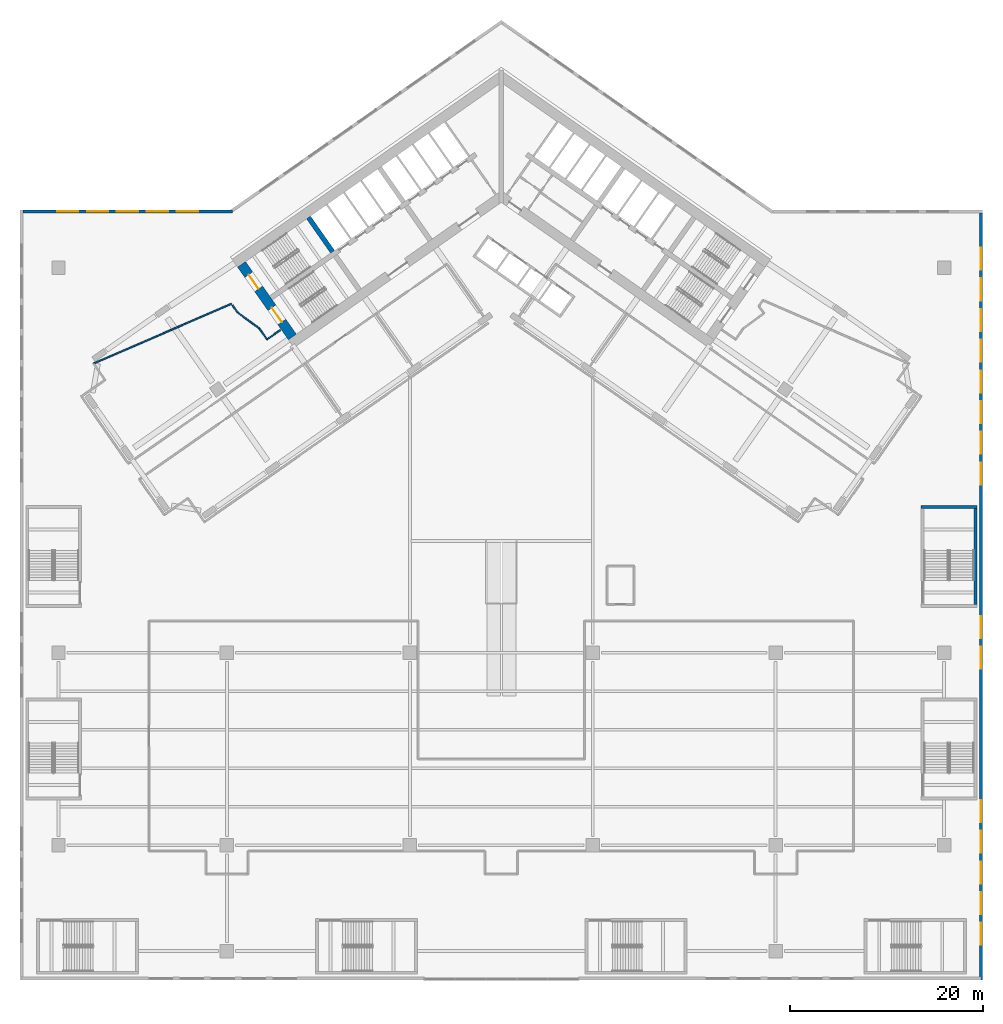
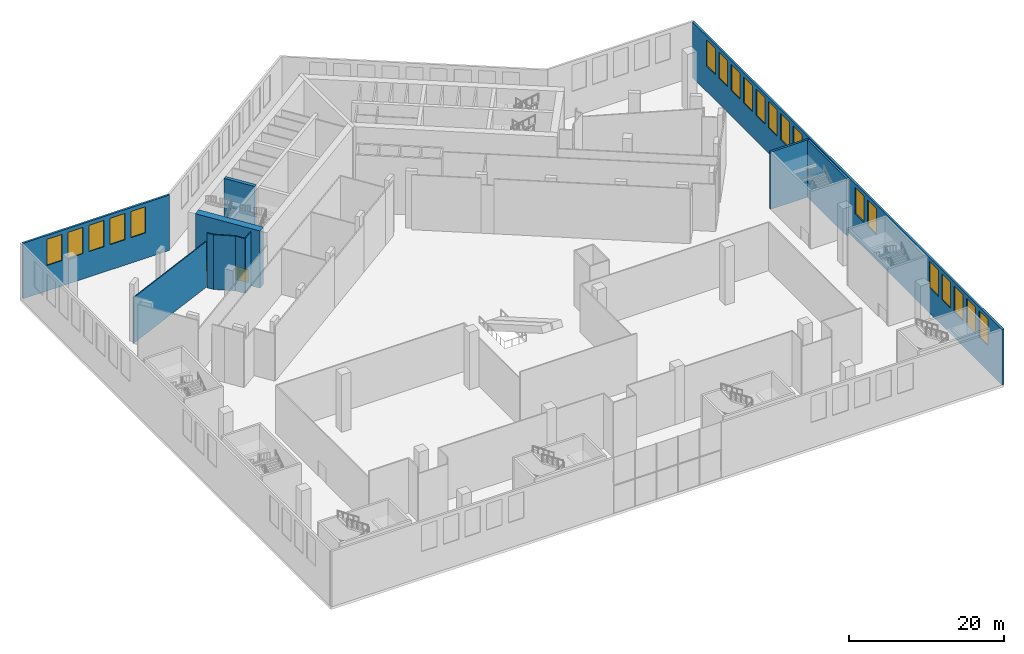
# One storey, part 9 of 27: 20 windows, 11 walls, 2 doors, 22 openings.
"""IFC4 building model written with IfcOpenShell, lengths in metres."""

from ifc_helpers import new_model, si_unit, direction, frame, frame_2d, origin, place, context, subcontext, project, spatial, polyline, rectangle, outline, extrude, material, layer, layer_set, type_object, element, fill, save


model = new_model("IFC4")

# Units and contexts
model_context = context("Model", 3, precision=1e-05, world=origin(), true_north=direction((0.0, 1.0)))
body_context = subcontext(model_context, "Body", "Model", "MODEL_VIEW")
ifc_project = project(units=[si_unit("LENGTHUNIT", "METRE"), si_unit("AREAUNIT", "SQUARE_METRE"), si_unit("VOLUMEUNIT", "CUBIC_METRE"), si_unit("PLANEANGLEUNIT", "RADIAN"), si_unit("MASSUNIT", "GRAM", prefix="KILO")], contexts=[model_context])

# Site, building, storey
site_placement = place(None, origin())
site = spatial("IfcSite", under=ifc_project, at=site_placement, CompositionType="ELEMENT")
building_placement = place(site_placement, origin())
building = spatial("IfcBuilding", under=site, at=building_placement, Name="Tel Ilan Convention Tower", CompositionType="ELEMENT")
storey_placement = place(building_placement, frame((0.0, 0.0, 9.0)))
storey = spatial("IfcBuildingStorey", under=building, at=storey_placement, Name="L01", CompositionType="ELEMENT", Elevation=9.0)

# Wall, openings, doors
ifc_material_1 = material(Name="Concrete C60/75", Category="concrete")
ifc_layer_1 = layer(ifc_material_1, 1.0)
ifc_layer_set_1 = layer_set([ifc_layer_1], Name="Core Shear Wall 1000 mm C60/75")
wall_type_1 = type_object("IfcWallType", Name="Core Shear Wall 1000 mm C60/75", PredefinedType="SHEAR", material=ifc_layer_set_1)
wall_1_placement = place(storey_placement, frame((-21.70751953125, -15.19970703125, 0.0), z_axis=(0.0, 0.0, 1.0), x_axis=(-0.573576324356, 0.819152122709, 0.0)))
wall_1 = element("IfcWall", 1, at=wall_1_placement, inside=storey, type_object=wall_type_1, Name="L01 core wall W-end", PredefinedType="SHEAR", context=body_context, shape_type="SweptSolid", body=[
    extrude(outline(polyline([(0.0, 0.5), (0.0, -0.5), (9.199951171875, -0.5), (9.199951171875, 0.5), (0.0, 0.5)])), origin(), (0.0, 0.0, 1.0), 9.0),
])
opening_1_placement = place(wall_1_placement, frame((6.10009765625, 0.0, 0.0)))
opening_1 = element("IfcOpeningElement", 2, at=opening_1_placement, cuts=wall_1, Name="Opening SD0401", PredefinedType="OPENING", context=body_context, shape_type="SweptSolid", body=[
    extrude(rectangle(XDim=1.800048828125, YDim=2.10009765625, at=frame_2d((0.89990234375, 1.050048828125))), frame((0.0, 0.510009765625, 0.0), z_axis=(0.0, -1.0, 0.0), x_axis=(1.0, 0.0, 0.0)), (0.0, 0.0, 1.0), 1.02001953125),
])
opening_2_placement = place(wall_1_placement, frame((1.89990234375, 0.0, 0.0)))
opening_2 = element("IfcOpeningElement", 3, at=opening_2_placement, cuts=wall_1, Name="Opening SD0402", PredefinedType="OPENING", context=body_context, shape_type="SweptSolid", body=[
    extrude(rectangle(XDim=1.800048828125, YDim=2.10009765625, at=frame_2d((0.89990234375, 1.050048828125))), frame((0.0, 0.510009765625, 0.0), z_axis=(0.0, -1.0, 0.0), x_axis=(1.0, 0.0, 0.0)), (0.0, 0.0, 1.0), 1.02001953125),
])
ifc_material_2 = material(Name="Galvanised Steel Door Leaf", Category="steel")
door_type = type_object("IfcDoorType", Name="Stair Fire Door 1800 x 2100 FD60S", OperationType="NOTDEFINED", PredefinedType="DOOR", material=ifc_material_2)
door_1_placement = place(opening_1_placement, origin())
door_1 = element("IfcDoor", 4, at=door_1_placement, inside=storey, type_object=door_type, Name="Stair S1 door", OperationType="DOUBLE_DOOR_SINGLE_SWING", OverallHeight=2.10009765625, OverallWidth=1.800048828125, PredefinedType="DOOR", context=body_context, shape_type="SweptSolid", body=[
    extrude(rectangle(XDim=1.800048828125, YDim=2.10009765625, at=frame_2d((0.89990234375, 1.050048828125))), frame((0.0, 0.02490234375, 0.0), z_axis=(0.0, -1.0, 0.0), x_axis=(1.0, 0.0, 0.0)), (0.0, 0.0, 1.0), 0.050048828125),
])
fill(opening_1, door_1)
door_2_placement = place(opening_2_placement, origin())
door_2 = element("IfcDoor", 5, at=door_2_placement, inside=storey, type_object=door_type, Name="Stair S2 door", OperationType="DOUBLE_DOOR_SINGLE_SWING", OverallHeight=2.10009765625, OverallWidth=1.800048828125, PredefinedType="DOOR", context=body_context, shape_type="SweptSolid", body=[
    extrude(rectangle(XDim=1.800048828125, YDim=2.10009765625, at=frame_2d((0.89990234375, 1.050048828125))), frame((0.0, 0.02490234375, 0.0), z_axis=(0.0, -1.0, 0.0), x_axis=(1.0, 0.0, 0.0)), (0.0, 0.0, 1.0), 0.050048828125),
])
fill(opening_2, door_2)

# Walls
ifc_material_3 = material(Name="Concrete C60/75", Category="concrete")
ifc_layer_2 = layer(ifc_material_3, 0.5)
ifc_layer_set_2 = layer_set([ifc_layer_2], Name="Core Shear Wall 500 mm C60/75")
wall_type_2 = type_object("IfcWallType", Name="Core Shear Wall 500 mm C60/75", PredefinedType="SHEAR", material=ifc_layer_set_2)
wall_2_placement = place(storey_placement, frame((-17.526611328125, -6.3515625, 0.0), z_axis=(0.0, 0.0, 1.0), x_axis=(-0.573530143085, 0.819184457233, 0.0)))
element("IfcWall", 6, at=wall_2_placement, inside=storey, type_object=wall_type_2, Name="L01 core wall W-cross2-2", PredefinedType="SHEAR", context=body_context, shape_type="SweptSolid", body=[
    extrude(outline(polyline([(4.35009765625, -0.249755859375), (4.35009765625, 0.250244140625), (0.0, 0.25), (0.0, -0.25), (4.35009765625, -0.249755859375)])), origin(), (0.0, 0.0, 1.0), 9.0),
])
ifc_material_4 = material(Name="Plasterboard on Steel Studs", Category="steel")
ifc_layer_3 = layer(ifc_material_4, 0.14990234375)
ifc_layer_set_3 = layer_set([ifc_layer_3], Name="Fire-rated Partition 150 EI 60")
wall_type_3 = type_object("IfcWallType", Name="Fire-rated Partition 150 EI 60", PredefinedType="PARTITIONING", material=ifc_layer_set_3)
wall_3_placement = place(storey_placement, frame((-28.0263671875, -11.751220703125, 0.0), z_axis=(0.0, 0.0, 1.0), x_axis=(-0.91753357696, -0.397658314577, 0.0)))
element("IfcWall", 7, at=wall_3_placement, inside=storey, type_object=wall_type_3, Name="Partition 067", PredefinedType="PARTITIONING", context=body_context, shape_type="SweptSolid", body=[
    extrude(rectangle(XDim=15.621337890625, YDim=0.14990234375, at=frame_2d((7.810546875, 0.0))), origin(), (0.0, 0.0, 1.0), 7.179931640625),
])
wall_4_placement = place(storey_placement, frame((-22.961181640625, -14.490478515625, 0.0), z_axis=(0.0, 0.0, 1.0), x_axis=(-0.819109000826, -0.573637903879, 0.0)))
element("IfcWall", 8, at=wall_4_placement, inside=storey, type_object=wall_type_3, Name="Partition 068", PredefinedType="PARTITIONING", context=body_context, shape_type="SweptSolid", body=[
    extrude(rectangle(XDim=1.679931640625, YDim=0.14990234375, at=frame_2d((0.83984375, 0.0))), origin(), (0.0, 0.0, 1.0), 8.60009765625),
])
wall_5_placement = place(storey_placement, frame((-24.337158203125, -15.4541015625, 0.0), z_axis=(0.0, 0.0, 1.0), x_axis=(-0.573571252353, 0.819155674139, 0.0)))
element("IfcWall", 9, at=wall_5_placement, inside=storey, type_object=wall_type_3, Name="Partition 069", PredefinedType="PARTITIONING", context=body_context, shape_type="SweptSolid", body=[
    extrude(rectangle(XDim=1.35400390625, YDim=0.14990234375, at=frame_2d((0.677001953125, 0.0))), origin(), (0.0, 0.0, 1.0), 8.60009765625),
])
wall_6_placement = place(storey_placement, frame((-25.11376953125, -14.344970703125, 0.0), z_axis=(0.0, 0.0, 1.0), x_axis=(-0.803169525988, 0.59575054555, 0.0)))
element("IfcWall", 10, at=wall_6_placement, inside=storey, type_object=wall_type_3, Name="Partition 070", PredefinedType="PARTITIONING", context=body_context, shape_type="SweptSolid", body=[
    extrude(rectangle(XDim=2.84619140625, YDim=0.14990234375, at=frame_2d((1.423095703125, 0.0))), origin(), (0.0, 0.0, 1.0), 8.60009765625),
])
wall_7_placement = place(storey_placement, frame((-27.399658203125, -12.6494140625, 0.0), z_axis=(0.0, 0.0, 1.0), x_axis=(-0.573713979357, 0.819055718428, 0.0)))
element("IfcWall", 11, at=wall_7_placement, inside=storey, type_object=wall_type_3, Name="Partition 071", PredefinedType="PARTITIONING", context=body_context, shape_type="SweptSolid", body=[
    extrude(rectangle(XDim=0.91162109375, YDim=0.14990234375, at=frame_2d((0.455810546875, 0.0))), origin(), (0.0, 0.0, 1.0), 8.60009765625),
])

# Wall, openings, windows
ifc_material_5 = material(Name="Bronze aluminium cladding panel on insulated steel frame", Category="steel")
ifc_layer_4 = layer(ifc_material_5, 0.300048828125)
ifc_layer_set_4 = layer_set([ifc_layer_4], Name="PODIUM CLADDING WALL 300")
wall_type_4 = type_object("IfcWallType", Name="PODIUM CLADDING WALL 300", PredefinedType="SOLIDWALL", material=ifc_layer_set_4)
wall_8_placement = place(storey_placement, frame((-49.699951171875, -2.14990234375, 0.0), z_axis=(0.0, 0.0, 1.0), x_axis=(1.0, 0.0, 0.0)))
wall_8 = element("IfcWall", 12, at=wall_8_placement, inside=storey, type_object=wall_type_4, Name="Podium cladding wall", PredefinedType="SOLIDWALL", context=body_context, shape_type="SweptSolid", body=[
    extrude(rectangle(XDim=21.760986328125, YDim=0.300048828125, at=frame_2d((10.88037109375, 0.0))), origin(), (0.0, 0.0, 1.0), 8.719970703125),
])
opening_3_placement = place(wall_8_placement, frame((3.558837890625, 0.0, 4.0)))
opening_3 = element("IfcOpeningElement", 13, at=opening_3_placement, cuts=wall_8, Name="Opening W-04.026", PredefinedType="OPENING", context=body_context, shape_type="SweptSolid", body=[
    extrude(rectangle(XDim=2.208740234375, YDim=4.1201171875, at=frame_2d((1.1044921875, 2.06005859375))), frame((0.0, 0.159912109375, 0.0), z_axis=(0.0, -1.0, 0.0), x_axis=(1.0, 0.0, 0.0)), (0.0, 0.0, 1.0), 0.320068359375),
])
opening_4_placement = place(wall_8_placement, frame((6.66748046875, 0.0, 4.0)))
opening_4 = element("IfcOpeningElement", 14, at=opening_4_placement, cuts=wall_8, Name="Opening W-04.027", PredefinedType="OPENING", context=body_context, shape_type="SweptSolid", body=[
    extrude(rectangle(XDim=2.208740234375, YDim=4.1201171875, at=frame_2d((1.1044921875, 2.06005859375))), frame((0.0, 0.159912109375, 0.0), z_axis=(0.0, -1.0, 0.0), x_axis=(1.0, 0.0, 0.0)), (0.0, 0.0, 1.0), 0.320068359375),
])
opening_5_placement = place(wall_8_placement, frame((9.776123046875, 0.0, 4.0)))
opening_5 = element("IfcOpeningElement", 15, at=opening_5_placement, cuts=wall_8, Name="Opening W-04.028", PredefinedType="OPENING", context=body_context, shape_type="SweptSolid", body=[
    extrude(rectangle(XDim=2.208740234375, YDim=4.1201171875, at=frame_2d((1.1044921875, 2.06005859375))), frame((0.0, 0.159912109375, 0.0), z_axis=(0.0, -1.0, 0.0), x_axis=(1.0, 0.0, 0.0)), (0.0, 0.0, 1.0), 0.320068359375),
])
opening_6_placement = place(wall_8_placement, frame((12.884765625, 0.0, 4.0)))
opening_6 = element("IfcOpeningElement", 16, at=opening_6_placement, cuts=wall_8, Name="Opening W-04.029", PredefinedType="OPENING", context=body_context, shape_type="SweptSolid", body=[
    extrude(rectangle(XDim=2.208740234375, YDim=4.1201171875, at=frame_2d((1.1044921875, 2.06005859375))), frame((0.0, 0.159912109375, 0.0), z_axis=(0.0, -1.0, 0.0), x_axis=(1.0, 0.0, 0.0)), (0.0, 0.0, 1.0), 0.320068359375),
])
opening_7_placement = place(wall_8_placement, frame((15.99365234375, 0.0, 4.0)))
opening_7 = element("IfcOpeningElement", 17, at=opening_7_placement, cuts=wall_8, Name="Opening W-04.030", PredefinedType="OPENING", context=body_context, shape_type="SweptSolid", body=[
    extrude(rectangle(XDim=2.208740234375, YDim=4.1201171875, at=frame_2d((1.1044921875, 2.06005859375))), frame((0.0, 0.159912109375, 0.0), z_axis=(0.0, -1.0, 0.0), x_axis=(1.0, 0.0, 0.0)), (0.0, 0.0, 1.0), 0.320068359375),
])
ifc_material_6 = material(Name="Aluminium framed glazing, bronze anodised, tinted glass", Category="aluminium")
window_type_1 = type_object("IfcWindowType", Name="PODIUM WINDOW 2209x4120", PartitioningType="SINGLE_PANEL", PredefinedType="WINDOW", material=ifc_material_6)
window_1_placement = place(opening_3_placement, origin())
window_1 = element("IfcWindow", 18, at=window_1_placement, inside=storey, type_object=window_type_1, Name="Podium window", OverallHeight=4.1201171875, OverallWidth=2.208740234375, PartitioningType="SINGLE_PANEL", PredefinedType="WINDOW", context=body_context, shape_type="SweptSolid", body=[
    extrude(rectangle(XDim=2.208740234375, YDim=4.1201171875, at=frame_2d((1.1044921875, 2.06005859375))), frame((0.0, 0.030029296875, 0.0), z_axis=(0.0, -1.0, 0.0), x_axis=(1.0, 0.0, 0.0)), (0.0, 0.0, 1.0), 0.06005859375),
])
fill(opening_3, window_1)
window_2_placement = place(opening_4_placement, origin())
window_2 = element("IfcWindow", 19, at=window_2_placement, inside=storey, type_object=window_type_1, Name="Podium window", OverallHeight=4.1201171875, OverallWidth=2.208740234375, PartitioningType="SINGLE_PANEL", PredefinedType="WINDOW", context=body_context, shape_type="SweptSolid", body=[
    extrude(rectangle(XDim=2.208740234375, YDim=4.1201171875, at=frame_2d((1.1044921875, 2.06005859375))), frame((0.0, 0.030029296875, 0.0), z_axis=(0.0, -1.0, 0.0), x_axis=(1.0, 0.0, 0.0)), (0.0, 0.0, 1.0), 0.06005859375),
])
fill(opening_4, window_2)
window_3_placement = place(opening_5_placement, origin())
window_3 = element("IfcWindow", 20, at=window_3_placement, inside=storey, type_object=window_type_1, Name="Podium window", OverallHeight=4.1201171875, OverallWidth=2.208740234375, PartitioningType="SINGLE_PANEL", PredefinedType="WINDOW", context=body_context, shape_type="SweptSolid", body=[
    extrude(rectangle(XDim=2.208740234375, YDim=4.1201171875, at=frame_2d((1.1044921875, 2.06005859375))), frame((0.0, 0.030029296875, 0.0), z_axis=(0.0, -1.0, 0.0), x_axis=(1.0, 0.0, 0.0)), (0.0, 0.0, 1.0), 0.06005859375),
])
fill(opening_5, window_3)
window_4_placement = place(opening_6_placement, origin())
window_4 = element("IfcWindow", 21, at=window_4_placement, inside=storey, type_object=window_type_1, Name="Podium window", OverallHeight=4.1201171875, OverallWidth=2.208740234375, PartitioningType="SINGLE_PANEL", PredefinedType="WINDOW", context=body_context, shape_type="SweptSolid", body=[
    extrude(rectangle(XDim=2.208740234375, YDim=4.1201171875, at=frame_2d((1.1044921875, 2.06005859375))), frame((0.0, 0.030029296875, 0.0), z_axis=(0.0, -1.0, 0.0), x_axis=(1.0, 0.0, 0.0)), (0.0, 0.0, 1.0), 0.06005859375),
])
fill(opening_6, window_4)
window_5_placement = place(opening_7_placement, origin())
window_5 = element("IfcWindow", 22, at=window_5_placement, inside=storey, type_object=window_type_1, Name="Podium window", OverallHeight=4.1201171875, OverallWidth=2.208740234375, PartitioningType="SINGLE_PANEL", PredefinedType="WINDOW", context=body_context, shape_type="SweptSolid", body=[
    extrude(rectangle(XDim=2.208740234375, YDim=4.1201171875, at=frame_2d((1.1044921875, 2.06005859375))), frame((0.0, 0.030029296875, 0.0), z_axis=(0.0, -1.0, 0.0), x_axis=(1.0, 0.0, 0.0)), (0.0, 0.0, 1.0), 0.06005859375),
])
fill(opening_7, window_5)

wall_9_placement = place(storey_placement, frame((49.85009765625, -2.300048828125, 0.0), z_axis=(0.0, 0.0, 1.0), x_axis=(0.0, -1.0, 0.0)))
wall_9 = element("IfcWall", 23, at=wall_9_placement, inside=storey, type_object=wall_type_4, Name="Podium cladding wall", PredefinedType="SOLIDWALL", context=body_context, shape_type="SweptSolid", body=[
    extrude(rectangle(XDim=79.699951171875, YDim=0.300048828125, at=frame_2d((39.85009765625, 0.0))), origin(), (0.0, 0.0, 1.0), 8.719970703125),
])
opening_8_placement = place(wall_9_placement, frame((3.637939453125, 0.0, 4.0)))
opening_8 = element("IfcOpeningElement", 24, at=opening_8_placement, cuts=wall_9, Name="Opening W-04.054", PredefinedType="OPENING", context=body_context, shape_type="SweptSolid", body=[
    extrude(rectangle(XDim=2.2880859375, YDim=4.1201171875, at=frame_2d((1.14404296875, 2.06005859375))), frame((0.0, 0.159912109375, 0.0), z_axis=(0.0, -1.0, 0.0), x_axis=(1.0, 0.0, 0.0)), (0.0, 0.0, 1.0), 0.320068359375),
])
opening_9_placement = place(wall_9_placement, frame((6.825927734375, 0.0, 4.0)))
opening_9 = element("IfcOpeningElement", 25, at=opening_9_placement, cuts=wall_9, Name="Opening W-04.055", PredefinedType="OPENING", context=body_context, shape_type="SweptSolid", body=[
    extrude(rectangle(XDim=2.2880859375, YDim=4.1201171875, at=frame_2d((1.14404296875, 2.06005859375))), frame((0.0, 0.159912109375, 0.0), z_axis=(0.0, -1.0, 0.0), x_axis=(1.0, 0.0, 0.0)), (0.0, 0.0, 1.0), 0.320068359375),
])
opening_10_placement = place(wall_9_placement, frame((10.013916015625, 0.0, 4.0)))
opening_10 = element("IfcOpeningElement", 26, at=opening_10_placement, cuts=wall_9, Name="Opening W-04.056", PredefinedType="OPENING", context=body_context, shape_type="SweptSolid", body=[
    extrude(rectangle(XDim=2.2880859375, YDim=4.1201171875, at=frame_2d((1.14404296875, 2.06005859375))), frame((0.0, 0.159912109375, 0.0), z_axis=(0.0, -1.0, 0.0), x_axis=(1.0, 0.0, 0.0)), (0.0, 0.0, 1.0), 0.320068359375),
])
opening_11_placement = place(wall_9_placement, frame((13.201904296875, 0.0, 4.0)))
opening_11 = element("IfcOpeningElement", 27, at=opening_11_placement, cuts=wall_9, Name="Opening W-04.057", PredefinedType="OPENING", context=body_context, shape_type="SweptSolid", body=[
    extrude(rectangle(XDim=2.2880859375, YDim=4.1201171875, at=frame_2d((1.14404296875, 2.06005859375))), frame((0.0, 0.159912109375, 0.0), z_axis=(0.0, -1.0, 0.0), x_axis=(1.0, 0.0, 0.0)), (0.0, 0.0, 1.0), 0.320068359375),
])
opening_12_placement = place(wall_9_placement, frame((16.389892578125, 0.0, 4.0)))
opening_12 = element("IfcOpeningElement", 28, at=opening_12_placement, cuts=wall_9, Name="Opening W-04.058", PredefinedType="OPENING", context=body_context, shape_type="SweptSolid", body=[
    extrude(rectangle(XDim=2.2880859375, YDim=4.1201171875, at=frame_2d((1.14404296875, 2.06005859375))), frame((0.0, 0.159912109375, 0.0), z_axis=(0.0, -1.0, 0.0), x_axis=(1.0, 0.0, 0.0)), (0.0, 0.0, 1.0), 0.320068359375),
])
opening_13_placement = place(wall_9_placement, frame((19.577880859375, 0.0, 4.0)))
opening_13 = element("IfcOpeningElement", 29, at=opening_13_placement, cuts=wall_9, Name="Opening W-04.059", PredefinedType="OPENING", context=body_context, shape_type="SweptSolid", body=[
    extrude(rectangle(XDim=2.2880859375, YDim=4.1201171875, at=frame_2d((1.14404296875, 2.06005859375))), frame((0.0, 0.159912109375, 0.0), z_axis=(0.0, -1.0, 0.0), x_axis=(1.0, 0.0, 0.0)), (0.0, 0.0, 1.0), 0.320068359375),
])
opening_14_placement = place(wall_9_placement, frame((22.76611328125, 0.0, 4.0)))
opening_14 = element("IfcOpeningElement", 30, at=opening_14_placement, cuts=wall_9, Name="Opening W-04.060", PredefinedType="OPENING", context=body_context, shape_type="SweptSolid", body=[
    extrude(rectangle(XDim=2.2880859375, YDim=4.1201171875, at=frame_2d((1.14404296875, 2.06005859375))), frame((0.0, 0.159912109375, 0.0), z_axis=(0.0, -1.0, 0.0), x_axis=(1.0, 0.0, 0.0)), (0.0, 0.0, 1.0), 0.320068359375),
])
opening_15_placement = place(wall_9_placement, frame((25.9541015625, 0.0, 4.0)))
opening_15 = element("IfcOpeningElement", 31, at=opening_15_placement, cuts=wall_9, Name="Opening W-04.061", PredefinedType="OPENING", context=body_context, shape_type="SweptSolid", body=[
    extrude(rectangle(XDim=2.2880859375, YDim=4.1201171875, at=frame_2d((1.14404296875, 2.06005859375))), frame((0.0, 0.159912109375, 0.0), z_axis=(0.0, -1.0, 0.0), x_axis=(1.0, 0.0, 0.0)), (0.0, 0.0, 1.0), 0.320068359375),
])
opening_16_placement = place(wall_9_placement, frame((41.89404296875, 0.0, 4.0)))
opening_16 = element("IfcOpeningElement", 32, at=opening_16_placement, cuts=wall_9, Name="Opening W-04.062", PredefinedType="OPENING", context=body_context, shape_type="SweptSolid", body=[
    extrude(rectangle(XDim=2.2880859375, YDim=4.1201171875, at=frame_2d((1.14404296875, 2.06005859375))), frame((0.0, 0.159912109375, 0.0), z_axis=(0.0, -1.0, 0.0), x_axis=(1.0, 0.0, 0.0)), (0.0, 0.0, 1.0), 0.320068359375),
])
opening_17_placement = place(wall_9_placement, frame((45.08203125, 0.0, 4.0)))
opening_17 = element("IfcOpeningElement", 33, at=opening_17_placement, cuts=wall_9, Name="Opening W-04.063", PredefinedType="OPENING", context=body_context, shape_type="SweptSolid", body=[
    extrude(rectangle(XDim=2.2880859375, YDim=4.1201171875, at=frame_2d((1.14404296875, 2.06005859375))), frame((0.0, 0.159912109375, 0.0), z_axis=(0.0, -1.0, 0.0), x_axis=(1.0, 0.0, 0.0)), (0.0, 0.0, 1.0), 0.320068359375),
])
opening_18_placement = place(wall_9_placement, frame((61.02197265625, 0.0, 4.0)))
opening_18 = element("IfcOpeningElement", 34, at=opening_18_placement, cuts=wall_9, Name="Opening W-04.064", PredefinedType="OPENING", context=body_context, shape_type="SweptSolid", body=[
    extrude(rectangle(XDim=2.2880859375, YDim=4.1201171875, at=frame_2d((1.14404296875, 2.06005859375))), frame((0.0, 0.159912109375, 0.0), z_axis=(0.0, -1.0, 0.0), x_axis=(1.0, 0.0, 0.0)), (0.0, 0.0, 1.0), 0.320068359375),
])
opening_19_placement = place(wall_9_placement, frame((64.2099609375, 0.0, 4.0)))
opening_19 = element("IfcOpeningElement", 35, at=opening_19_placement, cuts=wall_9, Name="Opening W-04.065", PredefinedType="OPENING", context=body_context, shape_type="SweptSolid", body=[
    extrude(rectangle(XDim=2.2880859375, YDim=4.1201171875, at=frame_2d((1.14404296875, 2.06005859375))), frame((0.0, 0.159912109375, 0.0), z_axis=(0.0, -1.0, 0.0), x_axis=(1.0, 0.0, 0.0)), (0.0, 0.0, 1.0), 0.320068359375),
])
opening_20_placement = place(wall_9_placement, frame((67.39794921875, 0.0, 4.0)))
opening_20 = element("IfcOpeningElement", 36, at=opening_20_placement, cuts=wall_9, Name="Opening W-04.066", PredefinedType="OPENING", context=body_context, shape_type="SweptSolid", body=[
    extrude(rectangle(XDim=2.2880859375, YDim=4.1201171875, at=frame_2d((1.14404296875, 2.06005859375))), frame((0.0, 0.159912109375, 0.0), z_axis=(0.0, -1.0, 0.0), x_axis=(1.0, 0.0, 0.0)), (0.0, 0.0, 1.0), 0.320068359375),
])
opening_21_placement = place(wall_9_placement, frame((70.5859375, 0.0, 4.0)))
opening_21 = element("IfcOpeningElement", 37, at=opening_21_placement, cuts=wall_9, Name="Opening W-04.067", PredefinedType="OPENING", context=body_context, shape_type="SweptSolid", body=[
    extrude(rectangle(XDim=2.2880859375, YDim=4.1201171875, at=frame_2d((1.14404296875, 2.06005859375))), frame((0.0, 0.159912109375, 0.0), z_axis=(0.0, -1.0, 0.0), x_axis=(1.0, 0.0, 0.0)), (0.0, 0.0, 1.0), 0.320068359375),
])
opening_22_placement = place(wall_9_placement, frame((73.77392578125, 0.0, 4.0)))
opening_22 = element("IfcOpeningElement", 38, at=opening_22_placement, cuts=wall_9, Name="Opening W-04.068", PredefinedType="OPENING", context=body_context, shape_type="SweptSolid", body=[
    extrude(rectangle(XDim=2.2880859375, YDim=4.1201171875, at=frame_2d((1.14404296875, 2.06005859375))), frame((0.0, 0.159912109375, 0.0), z_axis=(0.0, -1.0, 0.0), x_axis=(1.0, 0.0, 0.0)), (0.0, 0.0, 1.0), 0.320068359375),
])
ifc_material_7 = material(Name="Aluminium framed glazing, bronze anodised, tinted glass", Category="aluminium")
window_type_2 = type_object("IfcWindowType", Name="PODIUM WINDOW 2288x4120", PartitioningType="SINGLE_PANEL", PredefinedType="WINDOW", material=ifc_material_7)
window_6_placement = place(opening_8_placement, origin())
window_6 = element("IfcWindow", 39, at=window_6_placement, inside=storey, type_object=window_type_2, Name="Podium window", OverallHeight=4.1201171875, OverallWidth=2.2880859375, PartitioningType="SINGLE_PANEL", PredefinedType="WINDOW", context=body_context, shape_type="SweptSolid", body=[
    extrude(rectangle(XDim=2.2880859375, YDim=4.1201171875, at=frame_2d((1.14404296875, 2.06005859375))), frame((0.0, 0.030029296875, 0.0), z_axis=(0.0, -1.0, 0.0), x_axis=(1.0, 0.0, 0.0)), (0.0, 0.0, 1.0), 0.06005859375),
])
fill(opening_8, window_6)
window_7_placement = place(opening_9_placement, origin())
window_7 = element("IfcWindow", 40, at=window_7_placement, inside=storey, type_object=window_type_2, Name="Podium window", OverallHeight=4.1201171875, OverallWidth=2.2880859375, PartitioningType="SINGLE_PANEL", PredefinedType="WINDOW", context=body_context, shape_type="SweptSolid", body=[
    extrude(rectangle(XDim=2.2880859375, YDim=4.1201171875, at=frame_2d((1.14404296875, 2.06005859375))), frame((0.0, 0.030029296875, 0.0), z_axis=(0.0, -1.0, 0.0), x_axis=(1.0, 0.0, 0.0)), (0.0, 0.0, 1.0), 0.06005859375),
])
fill(opening_9, window_7)
window_8_placement = place(opening_10_placement, origin())
window_8 = element("IfcWindow", 41, at=window_8_placement, inside=storey, type_object=window_type_2, Name="Podium window", OverallHeight=4.1201171875, OverallWidth=2.2880859375, PartitioningType="SINGLE_PANEL", PredefinedType="WINDOW", context=body_context, shape_type="SweptSolid", body=[
    extrude(rectangle(XDim=2.2880859375, YDim=4.1201171875, at=frame_2d((1.14404296875, 2.06005859375))), frame((0.0, 0.030029296875, 0.0), z_axis=(0.0, -1.0, 0.0), x_axis=(1.0, 0.0, 0.0)), (0.0, 0.0, 1.0), 0.06005859375),
])
fill(opening_10, window_8)
window_9_placement = place(opening_11_placement, origin())
window_9 = element("IfcWindow", 42, at=window_9_placement, inside=storey, type_object=window_type_2, Name="Podium window", OverallHeight=4.1201171875, OverallWidth=2.2880859375, PartitioningType="SINGLE_PANEL", PredefinedType="WINDOW", context=body_context, shape_type="SweptSolid", body=[
    extrude(rectangle(XDim=2.2880859375, YDim=4.1201171875, at=frame_2d((1.14404296875, 2.06005859375))), frame((0.0, 0.030029296875, 0.0), z_axis=(0.0, -1.0, 0.0), x_axis=(1.0, 0.0, 0.0)), (0.0, 0.0, 1.0), 0.06005859375),
])
fill(opening_11, window_9)
window_10_placement = place(opening_12_placement, origin())
window_10 = element("IfcWindow", 43, at=window_10_placement, inside=storey, type_object=window_type_2, Name="Podium window", OverallHeight=4.1201171875, OverallWidth=2.2880859375, PartitioningType="SINGLE_PANEL", PredefinedType="WINDOW", context=body_context, shape_type="SweptSolid", body=[
    extrude(rectangle(XDim=2.2880859375, YDim=4.1201171875, at=frame_2d((1.14404296875, 2.06005859375))), frame((0.0, 0.030029296875, 0.0), z_axis=(0.0, -1.0, 0.0), x_axis=(1.0, 0.0, 0.0)), (0.0, 0.0, 1.0), 0.06005859375),
])
fill(opening_12, window_10)
window_11_placement = place(opening_13_placement, origin())
window_11 = element("IfcWindow", 44, at=window_11_placement, inside=storey, type_object=window_type_2, Name="Podium window", OverallHeight=4.1201171875, OverallWidth=2.2880859375, PartitioningType="SINGLE_PANEL", PredefinedType="WINDOW", context=body_context, shape_type="SweptSolid", body=[
    extrude(rectangle(XDim=2.2880859375, YDim=4.1201171875, at=frame_2d((1.14404296875, 2.06005859375))), frame((0.0, 0.030029296875, 0.0), z_axis=(0.0, -1.0, 0.0), x_axis=(1.0, 0.0, 0.0)), (0.0, 0.0, 1.0), 0.06005859375),
])
fill(opening_13, window_11)
window_12_placement = place(opening_14_placement, origin())
window_12 = element("IfcWindow", 45, at=window_12_placement, inside=storey, type_object=window_type_2, Name="Podium window", OverallHeight=4.1201171875, OverallWidth=2.2880859375, PartitioningType="SINGLE_PANEL", PredefinedType="WINDOW", context=body_context, shape_type="SweptSolid", body=[
    extrude(rectangle(XDim=2.2880859375, YDim=4.1201171875, at=frame_2d((1.14404296875, 2.06005859375))), frame((0.0, 0.030029296875, 0.0), z_axis=(0.0, -1.0, 0.0), x_axis=(1.0, 0.0, 0.0)), (0.0, 0.0, 1.0), 0.06005859375),
])
fill(opening_14, window_12)
window_13_placement = place(opening_15_placement, origin())
window_13 = element("IfcWindow", 46, at=window_13_placement, inside=storey, type_object=window_type_2, Name="Podium window", OverallHeight=4.1201171875, OverallWidth=2.2880859375, PartitioningType="SINGLE_PANEL", PredefinedType="WINDOW", context=body_context, shape_type="SweptSolid", body=[
    extrude(rectangle(XDim=2.2880859375, YDim=4.1201171875, at=frame_2d((1.14404296875, 2.06005859375))), frame((0.0, 0.030029296875, 0.0), z_axis=(0.0, -1.0, 0.0), x_axis=(1.0, 0.0, 0.0)), (0.0, 0.0, 1.0), 0.06005859375),
])
fill(opening_15, window_13)
window_14_placement = place(opening_16_placement, origin())
window_14 = element("IfcWindow", 47, at=window_14_placement, inside=storey, type_object=window_type_2, Name="Podium window", OverallHeight=4.1201171875, OverallWidth=2.2880859375, PartitioningType="SINGLE_PANEL", PredefinedType="WINDOW", context=body_context, shape_type="SweptSolid", body=[
    extrude(rectangle(XDim=2.2880859375, YDim=4.1201171875, at=frame_2d((1.14404296875, 2.06005859375))), frame((0.0, 0.030029296875, 0.0), z_axis=(0.0, -1.0, 0.0), x_axis=(1.0, 0.0, 0.0)), (0.0, 0.0, 1.0), 0.06005859375),
])
fill(opening_16, window_14)
window_15_placement = place(opening_17_placement, origin())
window_15 = element("IfcWindow", 48, at=window_15_placement, inside=storey, type_object=window_type_2, Name="Podium window", OverallHeight=4.1201171875, OverallWidth=2.2880859375, PartitioningType="SINGLE_PANEL", PredefinedType="WINDOW", context=body_context, shape_type="SweptSolid", body=[
    extrude(rectangle(XDim=2.2880859375, YDim=4.1201171875, at=frame_2d((1.14404296875, 2.06005859375))), frame((0.0, 0.030029296875, 0.0), z_axis=(0.0, -1.0, 0.0), x_axis=(1.0, 0.0, 0.0)), (0.0, 0.0, 1.0), 0.06005859375),
])
fill(opening_17, window_15)
window_16_placement = place(opening_18_placement, origin())
window_16 = element("IfcWindow", 49, at=window_16_placement, inside=storey, type_object=window_type_2, Name="Podium window", OverallHeight=4.1201171875, OverallWidth=2.2880859375, PartitioningType="SINGLE_PANEL", PredefinedType="WINDOW", context=body_context, shape_type="SweptSolid", body=[
    extrude(rectangle(XDim=2.2880859375, YDim=4.1201171875, at=frame_2d((1.14404296875, 2.06005859375))), frame((0.0, 0.030029296875, 0.0), z_axis=(0.0, -1.0, 0.0), x_axis=(1.0, 0.0, 0.0)), (0.0, 0.0, 1.0), 0.06005859375),
])
fill(opening_18, window_16)
window_17_placement = place(opening_19_placement, origin())
window_17 = element("IfcWindow", 50, at=window_17_placement, inside=storey, type_object=window_type_2, Name="Podium window", OverallHeight=4.1201171875, OverallWidth=2.2880859375, PartitioningType="SINGLE_PANEL", PredefinedType="WINDOW", context=body_context, shape_type="SweptSolid", body=[
    extrude(rectangle(XDim=2.2880859375, YDim=4.1201171875, at=frame_2d((1.14404296875, 2.06005859375))), frame((0.0, 0.030029296875, 0.0), z_axis=(0.0, -1.0, 0.0), x_axis=(1.0, 0.0, 0.0)), (0.0, 0.0, 1.0), 0.06005859375),
])
fill(opening_19, window_17)
window_18_placement = place(opening_20_placement, origin())
window_18 = element("IfcWindow", 51, at=window_18_placement, inside=storey, type_object=window_type_2, Name="Podium window", OverallHeight=4.1201171875, OverallWidth=2.2880859375, PartitioningType="SINGLE_PANEL", PredefinedType="WINDOW", context=body_context, shape_type="SweptSolid", body=[
    extrude(rectangle(XDim=2.2880859375, YDim=4.1201171875, at=frame_2d((1.14404296875, 2.06005859375))), frame((0.0, 0.030029296875, 0.0), z_axis=(0.0, -1.0, 0.0), x_axis=(1.0, 0.0, 0.0)), (0.0, 0.0, 1.0), 0.06005859375),
])
fill(opening_20, window_18)
window_19_placement = place(opening_21_placement, origin())
window_19 = element("IfcWindow", 52, at=window_19_placement, inside=storey, type_object=window_type_2, Name="Podium window", OverallHeight=4.1201171875, OverallWidth=2.2880859375, PartitioningType="SINGLE_PANEL", PredefinedType="WINDOW", context=body_context, shape_type="SweptSolid", body=[
    extrude(rectangle(XDim=2.2880859375, YDim=4.1201171875, at=frame_2d((1.14404296875, 2.06005859375))), frame((0.0, 0.030029296875, 0.0), z_axis=(0.0, -1.0, 0.0), x_axis=(1.0, 0.0, 0.0)), (0.0, 0.0, 1.0), 0.06005859375),
])
fill(opening_21, window_19)
window_20_placement = place(opening_22_placement, origin())
window_20 = element("IfcWindow", 53, at=window_20_placement, inside=storey, type_object=window_type_2, Name="Podium window", OverallHeight=4.1201171875, OverallWidth=2.2880859375, PartitioningType="SINGLE_PANEL", PredefinedType="WINDOW", context=body_context, shape_type="SweptSolid", body=[
    extrude(rectangle(XDim=2.2880859375, YDim=4.1201171875, at=frame_2d((1.14404296875, 2.06005859375))), frame((0.0, 0.030029296875, 0.0), z_axis=(0.0, -1.0, 0.0), x_axis=(1.0, 0.0, 0.0)), (0.0, 0.0, 1.0), 0.06005859375),
])
fill(opening_22, window_20)

# Walls
ifc_material_8 = material(Name="Concrete C40/50", Category="concrete")
ifc_layer_5 = layer(ifc_material_8, 0.300048828125)
ifc_layer_set_5 = layer_set([ifc_layer_5], Name="Stair Enclosure Wall 300 mm C40/50")
wall_type_5 = type_object("IfcWallType", Name="Stair Enclosure Wall 300 mm C40/50", PredefinedType="SOLIDWALL", material=ifc_layer_set_5)
wall_10_placement = place(storey_placement, frame((43.60009765625, -32.85009765625, 0.0), z_axis=(0.0, 0.0, 1.0), x_axis=(1.0, 0.0, 0.0)))
element("IfcWall", 54, at=wall_10_placement, inside=storey, type_object=wall_type_5, Name="P8 stair enclosure wall N L01", PredefinedType="SOLIDWALL", context=body_context, shape_type="SweptSolid", body=[
    extrude(rectangle(XDim=5.7998046875, YDim=0.300048828125, at=frame_2d((2.89990234375, 0.0))), origin(), (0.0, 0.0, 1.0), 9.0),
])
wall_11_placement = place(storey_placement, frame((49.25, -43.0, 0.0), z_axis=(0.0, 0.0, 1.0), x_axis=(0.0, 1.0, 0.0)))
element("IfcWall", 55, at=wall_11_placement, inside=storey, type_object=wall_type_5, Name="P8 stair enclosure wall E L01", PredefinedType="SOLIDWALL", context=body_context, shape_type="SweptSolid", body=[
    extrude(rectangle(XDim=10.0, YDim=0.300048828125, at=frame_2d((5.0, 0.0))), origin(), (0.0, 0.0, 1.0), 9.0),
])

save(model, "model.ifc")
